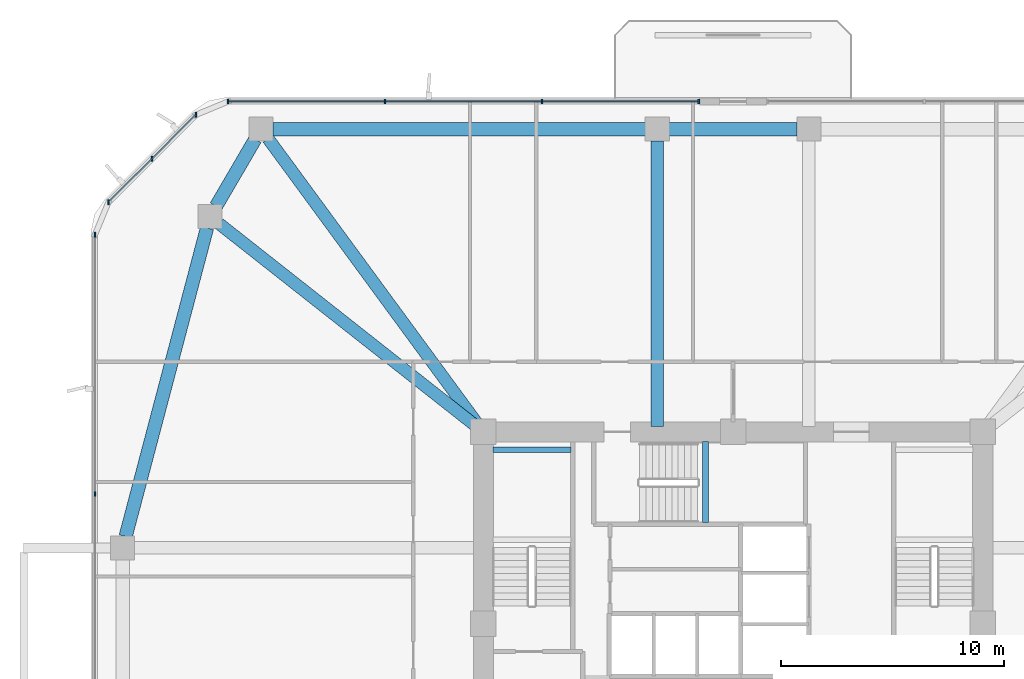
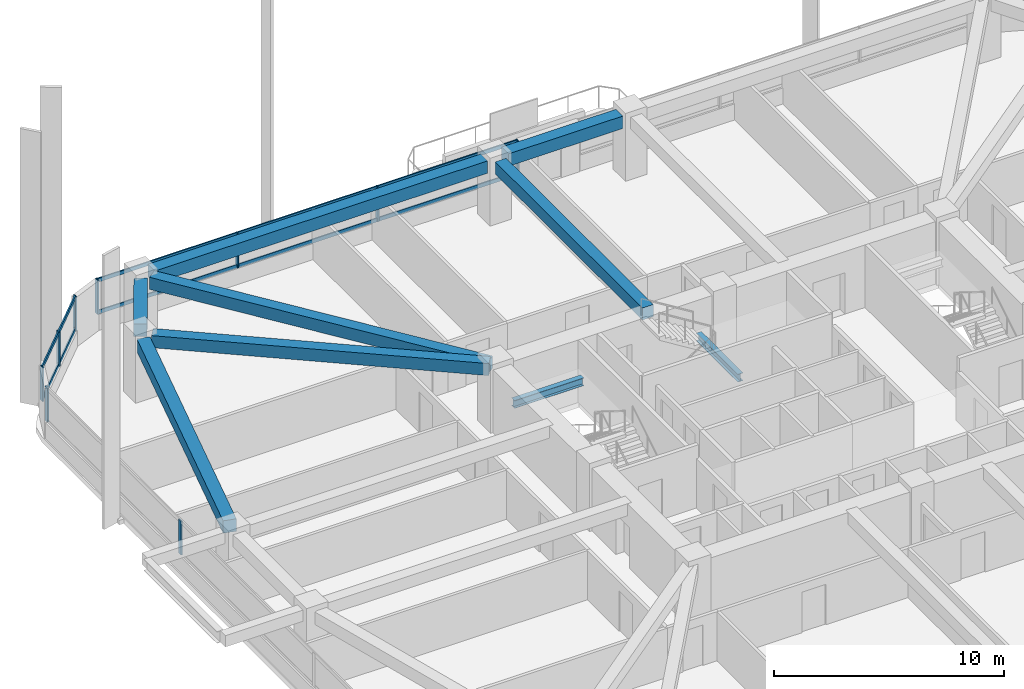
# One storey, part 6 of 17: 13 members, 9 beams, 3 elements without a shape of their own.
"""IFC4 building model written with IfcOpenShell, lengths in metres."""

from ifc_helpers import new_model, si_unit, derived_unit, direction, frame, origin, origin_2d, place, context, subcontext, project, spatial, rectangle, i_section, extrude, material, material_profile, profile_set, type_object, element, aggregate, save


model = new_model("IFC4")

# Units and contexts
model_context = context("Model", 3, precision=1e-05, world=origin(), true_north=direction((0.0, 1.0)))
body_context = subcontext(model_context, "Body", "Model", "MODEL_VIEW")
ifc_project = project(units=[si_unit("LENGTHUNIT", "METRE"), si_unit("AREAUNIT", "SQUARE_METRE"), si_unit("VOLUMEUNIT", "CUBIC_METRE"), si_unit("PLANEANGLEUNIT", "RADIAN"), si_unit("MASSUNIT", "GRAM", prefix="KILO"), derived_unit("THERMALTRANSMITTANCEUNIT", [(si_unit("POWERUNIT", "WATT"), 1), (si_unit("LENGTHUNIT", "METRE"), -2), (si_unit("THERMODYNAMICTEMPERATUREUNIT", "KELVIN"), -1)])], contexts=[model_context])

# Site, building, storey
site_placement = place(None, origin())
site = spatial("IfcSite", under=ifc_project, at=site_placement, CompositionType="ELEMENT")
building_placement = place(site_placement, origin())
building = spatial("IfcBuilding", under=site, at=building_placement, Name="Koralith Skygarden Medical Center", CompositionType="ELEMENT")
storey_placement = place(building_placement, frame((0.0, 0.0, 38.340087890625)))
storey = spatial("IfcBuildingStorey", under=building, at=storey_placement, Name="L09", CompositionType="ELEMENT", Elevation=38.340087890625)

# Curtain wall, members
ifc_material_1 = material(Name="Clear Laminated Glass", Category="glass")
curtain_wall_type = type_object("IfcCurtainWallType", Name="CW-2 Zone 1 Hurricane Unitised Curtain Wall", PredefinedType="NOTDEFINED", material=ifc_material_1)
curtain_wall_1_placement = place(storey_placement, origin())
curtain_wall_1 = element("IfcCurtainWall", 1, at=curtain_wall_1_placement, inside=storey, type_object=curtain_wall_type, Name="Curtain Wall CW-L09-N-R", PredefinedType="NOTDEFINED")
ifc_material_2 = material(Name="Aluminium 6063-T6", Category="aluminium")
ifc_material_profile_1 = material_profile(ifc_material_2, rectangle(XDim=0.071044921875, YDim=0.219970703125, at=origin_2d()), Name="MUL71X220")
ifc_profile_set_1 = profile_set([ifc_material_profile_1], Name="Aluminium 6063-T6")
member_type_1 = type_object("IfcMemberType", Name="CW-2 Extruded Mullion 71x220", PredefinedType="MULLION", material=ifc_profile_set_1)
member_1_placement = place(storey_placement, frame((35.4599609375, 49.320068359375, 0.849853515625), z_axis=(0.0, 0.0, 1.0), x_axis=(1.0, 0.0, 0.0)))
member_1 = element("IfcMember", 2, at=member_1_placement, type_object=member_type_1, Name="CW-L09-N-R Mullion 1", PredefinedType="MULLION", context=body_context, shape_type="SweptSolid", body=[
    extrude(rectangle(XDim=0.071044921875, YDim=0.219970703125, at=origin_2d()), origin(), (0.0, 0.0, 1.0), 1.800048828125),
])
member_2_placement = place(storey_placement, frame((28.425048828125, 49.320068359375, 0.849853515625), z_axis=(0.0, 0.0, 1.0), x_axis=(1.0, 0.0, 0.0)))
member_2 = element("IfcMember", 3, at=member_2_placement, type_object=member_type_1, Name="CW-L09-N-R Mullion 2", PredefinedType="MULLION", context=body_context, shape_type="SweptSolid", body=[
    extrude(rectangle(XDim=0.071044921875, YDim=0.219970703125, at=origin_2d()), origin(), (0.0, 0.0, 1.0), 1.800048828125),
])
member_3_placement = place(storey_placement, frame((21.389892578125, 49.320068359375, 0.849853515625), z_axis=(0.0, 0.0, 1.0), x_axis=(1.0, 0.0, 0.0)))
member_3 = element("IfcMember", 4, at=member_3_placement, type_object=member_type_1, Name="CW-L09-N-R Mullion 3", PredefinedType="MULLION", context=body_context, shape_type="SweptSolid", body=[
    extrude(rectangle(XDim=0.071044921875, YDim=0.219970703125, at=origin_2d()), origin(), (0.0, 0.0, 1.0), 1.800048828125),
])
member_4_placement = place(storey_placement, frame((14.35498046875, 49.320068359375, 0.849853515625), z_axis=(0.0, 0.0, 1.0), x_axis=(1.0, 0.0, 0.0)))
member_4 = element("IfcMember", 5, at=member_4_placement, type_object=member_type_1, Name="CW-L09-N-R Mullion 4", PredefinedType="MULLION", context=body_context, shape_type="SweptSolid", body=[
    extrude(rectangle(XDim=0.071044921875, YDim=0.219970703125, at=origin_2d()), origin(), (0.0, 0.0, 1.0), 1.800048828125),
])

curtain_wall_2_placement = place(storey_placement, origin())
curtain_wall_2 = element("IfcCurtainWall", 6, at=curtain_wall_2_placement, inside=storey, type_object=curtain_wall_type, Name="Curtain Wall CW-L09-NW", PredefinedType="NOTDEFINED")
member_5_placement = place(storey_placement, frame((12.904052734375, 48.718994140625, 0.849853515625), z_axis=(0.0, 0.0, 1.0), x_axis=(1.0, 0.0, 0.0)))
member_5 = element("IfcMember", 7, at=member_5_placement, type_object=member_type_1, Name="CW-L09-NW Mullion 1", PredefinedType="MULLION", context=body_context, shape_type="SweptSolid", body=[
    extrude(rectangle(XDim=0.071044921875, YDim=0.219970703125, at=origin_2d()), origin(), (0.0, 0.0, 1.0), 1.800048828125),
])
member_6_placement = place(storey_placement, frame((10.94189453125, 46.758056640625, 0.849853515625), z_axis=(0.0, 0.0, 1.0), x_axis=(1.0, 0.0, 0.0)))
member_6 = element("IfcMember", 8, at=member_6_placement, type_object=member_type_1, Name="CW-L09-NW Mullion 2", PredefinedType="MULLION", context=body_context, shape_type="SweptSolid", body=[
    extrude(rectangle(XDim=0.071044921875, YDim=0.219970703125, at=origin_2d()), origin(), (0.0, 0.0, 1.0), 1.800048828125),
])
member_7_placement = place(storey_placement, frame((8.98095703125, 44.7958984375, 0.849853515625), z_axis=(0.0, 0.0, 1.0), x_axis=(1.0, 0.0, 0.0)))
member_7 = element("IfcMember", 9, at=member_7_placement, type_object=member_type_1, Name="CW-L09-NW Mullion 3", PredefinedType="MULLION", context=body_context, shape_type="SweptSolid", body=[
    extrude(rectangle(XDim=0.071044921875, YDim=0.219970703125, at=origin_2d()), origin(), (0.0, 0.0, 1.0), 1.800048828125),
])

curtain_wall_3_placement = place(storey_placement, origin())
curtain_wall_3 = element("IfcCurtainWall", 10, at=curtain_wall_3_placement, inside=storey, type_object=curtain_wall_type, Name="Curtain Wall CW-L09-W", PredefinedType="NOTDEFINED")
member_8_placement = place(storey_placement, frame((8.3798828125, 43.344970703125, 0.849853515625), z_axis=(0.0, 0.0, 1.0), x_axis=(1.0, 0.0, 0.0)))
member_8 = element("IfcMember", 11, at=member_8_placement, type_object=member_type_1, Name="CW-L09-W Mullion 1", PredefinedType="MULLION", context=body_context, shape_type="SweptSolid", body=[
    extrude(rectangle(XDim=0.071044921875, YDim=0.219970703125, at=origin_2d()), origin(), (0.0, 0.0, 1.0), 1.800048828125),
])
member_9_placement = place(storey_placement, frame((8.3798828125, 31.715087890625, 0.849853515625), z_axis=(0.0, 0.0, 1.0), x_axis=(1.0, 0.0, 0.0)))
member_9 = element("IfcMember", 12, at=member_9_placement, type_object=member_type_1, Name="CW-L09-W Mullion 2", PredefinedType="MULLION", context=body_context, shape_type="SweptSolid", body=[
    extrude(rectangle(XDim=0.071044921875, YDim=0.219970703125, at=origin_2d()), origin(), (0.0, 0.0, 1.0), 1.800048828125),
])
aggregate(curtain_wall_3, [member_8, member_9])

# Member
ifc_material_profile_2 = material_profile(ifc_material_2, rectangle(XDim=0.06591796875, YDim=0.197998046875, at=origin_2d()), Name="TRN66X198")
ifc_profile_set_2 = profile_set([ifc_material_profile_2], Name="Aluminium 6063-T6")
member_type_2 = type_object("IfcMemberType", Name="CW-2 Thermal Transom 66x198", PredefinedType="USERDEFINED", material=ifc_profile_set_2)
member_10_placement = place(storey_placement, frame((35.4599609375, 49.320068359375, 0.89990234375), z_axis=(-1.0, 0.0, 0.0), x_axis=(0.0, -1.0, 0.0)))
member_10 = element("IfcMember", 13, at=member_10_placement, type_object=member_type_2, Name="CW-L09-N-R Transom 1", ObjectType="TRANSOM", PredefinedType="USERDEFINED", context=body_context, shape_type="SweptSolid", body=[
    extrude(rectangle(XDim=0.06591796875, YDim=0.197998046875, at=origin_2d()), origin(), (0.0, 0.0, 1.0), 21.10498046875),
])

member_11_placement = place(storey_placement, frame((35.4599609375, 49.320068359375, 2.599853515625), z_axis=(-1.0, 0.0, 0.0), x_axis=(0.0, -1.0, 0.0)))
member_11 = element("IfcMember", 14, at=member_11_placement, type_object=member_type_2, Name="CW-L09-N-R Transom 2", ObjectType="TRANSOM", PredefinedType="USERDEFINED", context=body_context, shape_type="SweptSolid", body=[
    extrude(rectangle(XDim=0.06591796875, YDim=0.197998046875, at=origin_2d()), origin(), (0.0, 0.0, 1.0), 21.10498046875),
])

aggregate(curtain_wall_1, [member_1, member_2, member_3, member_4, member_10, member_11])

member_12_placement = place(storey_placement, frame((12.904052734375, 48.718994140625, 0.89990234375), z_axis=(-0.707106781187, -0.707106781187, 0.0), x_axis=(0.707106781187, -0.707106781187, 0.0)))
member_12 = element("IfcMember", 15, at=member_12_placement, type_object=member_type_2, Name="CW-L09-NW Transom 1", ObjectType="TRANSOM", PredefinedType="USERDEFINED", context=body_context, shape_type="SweptSolid", body=[
    extrude(rectangle(XDim=0.06591796875, YDim=0.197998046875, at=origin_2d()), origin(), (0.0, 0.0, 1.0), 5.548095703125),
])

member_13_placement = place(storey_placement, frame((12.904052734375, 48.718994140625, 2.599853515625), z_axis=(-0.707106781187, -0.707106781187, 0.0), x_axis=(0.707106781187, -0.707106781187, 0.0)))
member_13 = element("IfcMember", 16, at=member_13_placement, type_object=member_type_2, Name="CW-L09-NW Transom 2", ObjectType="TRANSOM", PredefinedType="USERDEFINED", context=body_context, shape_type="SweptSolid", body=[
    extrude(rectangle(XDim=0.06591796875, YDim=0.197998046875, at=origin_2d()), origin(), (0.0, 0.0, 1.0), 5.548095703125),
])

aggregate(curtain_wall_2, [member_5, member_6, member_7, member_12, member_13])

# Beams
ifc_material_3 = material(Name="Steel ASTM A992 Grade 50", Category="steel")
ifc_material_profile_3 = material_profile(ifc_material_3, i_section(OverallWidth=0.260009765625, OverallDepth=0.4150390625, WebThickness=0.010009765625, FlangeThickness=0.016845703125, at=origin_2d()), Name="W16X67")
ifc_profile_set_3 = profile_set([ifc_material_profile_3], Name="Steel ASTM A992 Grade 50")
beam_type_1 = type_object("IfcBeamType", Name="Clinical Floor Joist W16X67", PredefinedType="JOIST", material=ifc_profile_set_3)
beam_1_placement = place(storey_placement, frame((26.22998046875, 33.699951171875, 1.391845703125), z_axis=(1.0, 0.0, 0.0), x_axis=(0.0, 1.0, 0.0)))
element("IfcBeam", 17, at=beam_1_placement, inside=storey, type_object=beam_type_1, Name="L09 Stair ST1 Half-Landing Support Beam 1B", PredefinedType="JOIST", context=body_context, shape_type="SweptSolid", body=[
    extrude(i_section(OverallWidth=0.260009765625, OverallDepth=0.4150390625, WebThickness=0.010009765625, FlangeThickness=0.016845703125, at=origin_2d()), origin(), (0.0, 0.0, 1.0), 3.489990234375),
])
beam_2_placement = place(storey_placement, frame((35.760009765625, 30.43994140625, 1.391845703125), z_axis=(0.0, 1.0, 0.0), x_axis=(-1.0, 0.0, 0.0)))
element("IfcBeam", 18, at=beam_2_placement, inside=storey, type_object=beam_type_1, Name="L09 Stair ST3 Half-Landing Support Beam 1A", PredefinedType="JOIST", context=body_context, shape_type="SweptSolid", body=[
    extrude(i_section(OverallWidth=0.260009765625, OverallDepth=0.4150390625, WebThickness=0.010009765625, FlangeThickness=0.016845703125, at=origin_2d()), origin(), (0.0, 0.0, 1.0), 3.630126953125),
])
ifc_material_4 = material(Name="Concrete C45/55", Category="concrete")
ifc_material_profile_4 = material_profile(ifc_material_4, rectangle(XDim=0.550048828125, YDim=0.639892578125, at=origin_2d()), Name="RCB550X640")
ifc_profile_set_4 = profile_set([ifc_material_profile_4], Name="Concrete C45/55")
beam_type_2 = type_object("IfcBeamType", Name="Radial Collector Beam RCB550X640", PredefinedType="BEAM", material=ifc_profile_set_4)
beam_3_placement = place(storey_placement, frame((33.60009765625, 34.75, 3.0), z_axis=(0.0, 1.0, 0.0), x_axis=(-1.0, 0.0, 0.0)))
element("IfcBeam", 19, at=beam_3_placement, inside=storey, type_object=beam_type_2, Name="L09 Radial Collector Beam RB-13", PredefinedType="BEAM", context=body_context, shape_type="SweptSolid", body=[
    extrude(rectangle(XDim=0.550048828125, YDim=0.639892578125, at=origin_2d()), origin(), (0.0, 0.0, 1.0), 12.800048828125),
])
beam_4_placement = place(storey_placement, frame((25.652099609375, 34.701904296875, 3.0), z_axis=(-0.591710803277, 0.806150311843, 0.0), x_axis=(-0.806150311843, -0.591710803277, 0.0)))
element("IfcBeam", 20, at=beam_4_placement, inside=storey, type_object=beam_type_2, Name="L09 Radial Collector Beam RB-14", PredefinedType="BEAM", context=body_context, shape_type="SweptSolid", body=[
    extrude(rectangle(XDim=0.550048828125, YDim=0.639892578125, at=origin_2d()), origin(), (0.0, 0.0, 1.0), 16.0654296875),
])
beam_5_placement = place(storey_placement, frame((25.60400390625, 34.655029296875, 3.0), z_axis=(-0.785497250365, 0.618865146594, 0.0), x_axis=(-0.618865146594, -0.785497250365, 0.0)))
element("IfcBeam", 21, at=beam_5_placement, inside=storey, type_object=beam_type_2, Name="L09 Radial Collector Beam RB-15", PredefinedType="BEAM", context=body_context, shape_type="SweptSolid", body=[
    extrude(rectangle(XDim=0.550048828125, YDim=0.639892578125, at=origin_2d()), origin(), (0.0, 0.0, 1.0), 14.828857421875),
])
ifc_material_profile_5 = material_profile(ifc_material_4, rectangle(XDim=0.60009765625, YDim=0.659912109375, at=origin_2d()), Name="RCB600X660")
ifc_profile_set_5 = profile_set([ifc_material_profile_5], Name="Concrete C45/55")
beam_type_3 = type_object("IfcBeamType", Name="Zone 1 Spandrel Beam RCB600X660", PredefinedType="SPANDREL", material=ifc_profile_set_5)
beam_6_placement = place(storey_placement, frame((39.8701171875, 48.080078125, 2.989990234375), z_axis=(-1.0, 0.0, 0.0), x_axis=(0.0, -1.0, 0.0)))
element("IfcBeam", 22, at=beam_6_placement, inside=storey, type_object=beam_type_3, Name="L09 Perimeter Spandrel Beam SP-12", PredefinedType="SPANDREL", context=body_context, shape_type="SweptSolid", body=[
    extrude(rectangle(XDim=0.60009765625, YDim=0.659912109375, at=origin_2d()), origin(), (0.0, 0.0, 1.0), 5.740234375),
])
beam_7_placement = place(storey_placement, frame((33.070068359375, 48.080078125, 2.989990234375), z_axis=(-1.0, 0.0, 0.0), x_axis=(0.0, -1.0, 0.0)))
element("IfcBeam", 23, at=beam_7_placement, inside=storey, type_object=beam_type_3, Name="L09 Perimeter Spandrel Beam SP-13", PredefinedType="SPANDREL", context=body_context, shape_type="SweptSolid", body=[
    extrude(rectangle(XDim=0.60009765625, YDim=0.659912109375, at=origin_2d()), origin(), (0.0, 0.0, 1.0), 16.7080078125),
])
beam_8_placement = place(storey_placement, frame((15.56396484375, 47.6220703125, 2.989990234375), z_axis=(-0.504608092658, -0.863348523381, 0.0), x_axis=(0.863348523381, -0.504608092658, 0.0)))
element("IfcBeam", 24, at=beam_8_placement, inside=storey, type_object=beam_type_3, Name="L09 Perimeter Spandrel Beam SP-14", PredefinedType="SPANDREL", context=body_context, shape_type="SweptSolid", body=[
    extrude(rectangle(XDim=0.60009765625, YDim=0.659912109375, at=origin_2d()), origin(), (0.0, 0.0, 1.0), 3.479736328125),
])
beam_9_placement = place(storey_placement, frame((13.405029296875, 43.64794921875, 2.989990234375), z_axis=(-0.255088684842, -0.966917660851, 0.0), x_axis=(0.966917660851, -0.255088684842, 0.0)))
element("IfcBeam", 25, at=beam_9_placement, inside=storey, type_object=beam_type_3, Name="L09 Perimeter Spandrel Beam SP-15", PredefinedType="SPANDREL", context=body_context, shape_type="SweptSolid", body=[
    extrude(rectangle(XDim=0.60009765625, YDim=0.659912109375, at=origin_2d()), origin(), (0.0, 0.0, 1.0), 14.309326171875),
])

save(model, "model.ifc")
